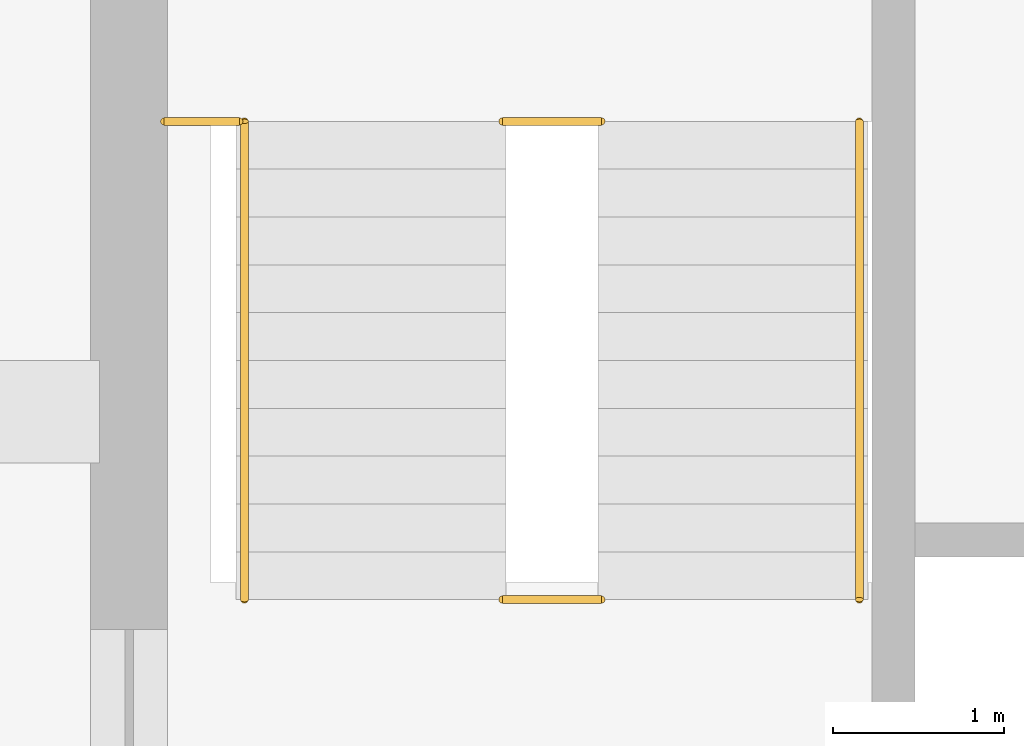
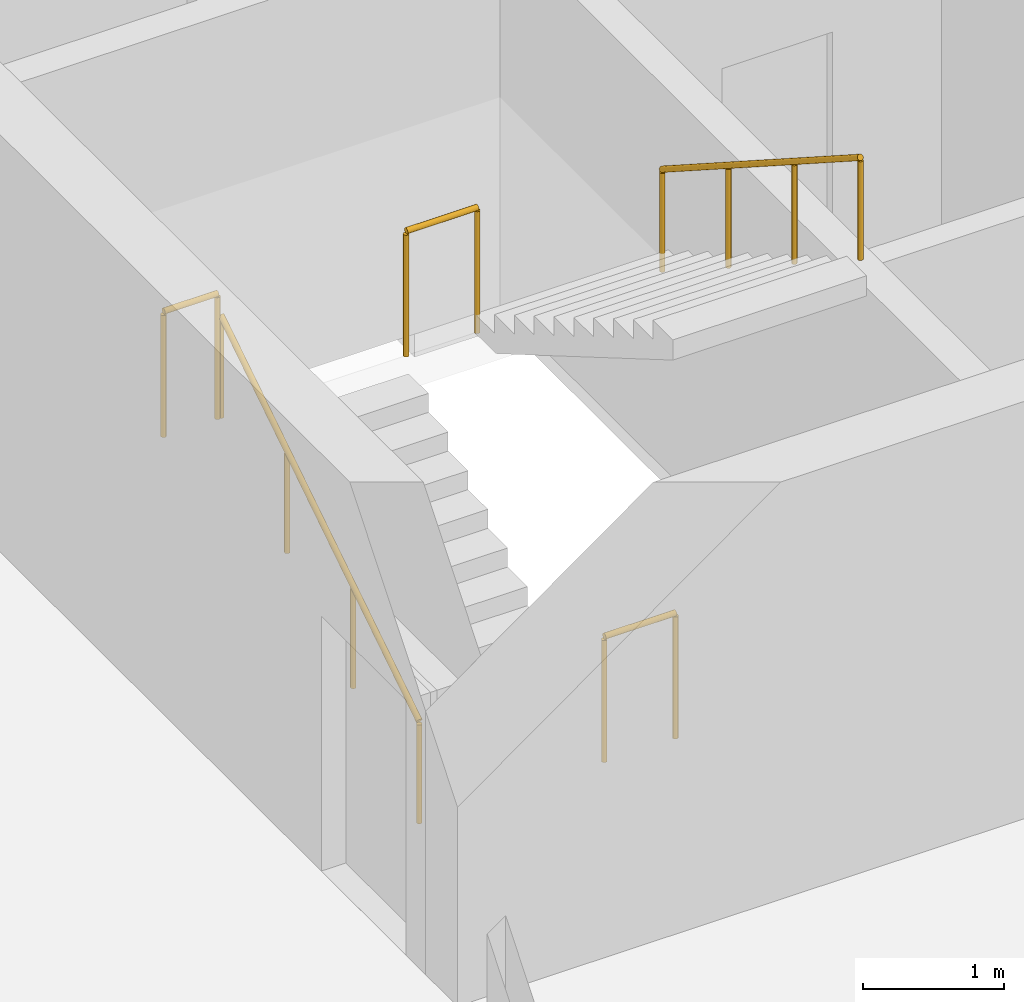
# One storey, part 12 of 15: 5 railings.
"""IFC4 building model written with IfcOpenShell, lengths in metres."""

from ifc_helpers import new_model, si_unit, direction, frame, origin, origin_2d, place, context, subcontext, project, spatial, circle, extrude, material, type_object, element, save


model = new_model("IFC4")

# Units and contexts
model_context = context("Model", 3, precision=1e-05, world=origin(), true_north=direction((0.0, 1.0)))
body_context = subcontext(model_context, "Body", "Model", "MODEL_VIEW")
ifc_project = project(units=[si_unit("LENGTHUNIT", "METRE"), si_unit("AREAUNIT", "SQUARE_METRE"), si_unit("VOLUMEUNIT", "CUBIC_METRE"), si_unit("PLANEANGLEUNIT", "RADIAN"), si_unit("MASSUNIT", "GRAM", prefix="KILO")], contexts=[model_context])

# Site, building, storey
site_placement = place(None, origin())
site = spatial("IfcSite", under=ifc_project, at=site_placement, CompositionType="ELEMENT")
building_placement = place(site_placement, origin())
building = spatial("IfcBuilding", under=site, at=building_placement, Name="Pilkhan Gate Tower", CompositionType="ELEMENT")
storey_placement = place(building_placement, frame((0.0, 0.0, 265.699951171875)))
storey = spatial("IfcBuildingStorey", under=building, at=storey_placement, Name="L69", CompositionType="ELEMENT", Elevation=265.699951171875)

# Railings
ifc_material_1 = material(Name="Black powder-coated steel tube", Category="steel")
railing_type_1 = type_object("IfcRailingType", Name="Stair handrail HR1", PredefinedType="HANDRAIL", material=ifc_material_1)
railing_1_placement = place(storey_placement, frame((61.449951171875, 73.89990234375, 0.0)))
element("IfcRailing", 1, at=railing_1_placement, inside=storey, type_object=railing_type_1, Name="Stair ST2 handrail L69", PredefinedType="HANDRAIL", context=body_context, shape_type="SweptSolid", body=[
    extrude(circle(Radius=0.02392578125, at=origin_2d()), frame((0.0, 0.0, 0.8759765625), z_axis=(0.0, 0.841176092368, 0.540761298198), x_axis=(-1.0, 0.0, 0.0)), (0.0, 0.0, 1.0), 3.32861328125),
    extrude(circle(Radius=0.02099609375, at=origin_2d()), origin(), (0.0, 0.0, 1.0), 0.851806640625),
    extrude(circle(Radius=0.02099609375, at=origin_2d()), frame((0.0, 0.933349609375, 0.60009765625)), (0.0, 0.0, 1.0), 0.851806640625),
    extrude(circle(Radius=0.02099609375, at=origin_2d()), frame((0.0, 1.86669921875, 1.199951171875)), (0.0, 0.0, 1.0), 0.851806640625),
    extrude(circle(Radius=0.02099609375, at=origin_2d()), frame((0.0, 2.800048828125, 1.800048828125)), (0.0, 0.0, 1.0), 0.851806640625),
])
railing_2_placement = place(storey_placement, frame((65.050048828125, 76.699951171875, 1.800048828125)))
element("IfcRailing", 2, at=railing_2_placement, inside=storey, type_object=railing_type_1, Name="Stair ST2 handrail L69", PredefinedType="HANDRAIL", context=body_context, shape_type="SweptSolid", body=[
    extrude(circle(Radius=0.02392578125, at=origin_2d()), frame((0.0, 0.0, 0.8759765625), z_axis=(0.0, -0.841176092368, 0.540761298198), x_axis=(1.0, 0.0, 0.0)), (0.0, 0.0, 1.0), 3.32861328125),
    extrude(circle(Radius=0.02099609375, at=origin_2d()), origin(), (0.0, 0.0, 1.0), 0.851806640625),
    extrude(circle(Radius=0.02099609375, at=origin_2d()), frame((0.0, -0.933349609375, 0.60009765625)), (0.0, 0.0, 1.0), 0.851806640625),
    extrude(circle(Radius=0.02099609375, at=origin_2d()), frame((0.0, -1.86669921875, 1.199951171875)), (0.0, 0.0, 1.0), 0.851806640625),
    extrude(circle(Radius=0.02099609375, at=origin_2d()), frame((0.0, -2.800048828125, 1.800048828125)), (0.0, 0.0, 1.0), 0.851806640625),
])
ifc_material_2 = material(Name="Black powder-coated steel balusters", Category="steel")
railing_type_2 = type_object("IfcRailingType", Name="Stair well guard G3", PredefinedType="GUARDRAIL", material=ifc_material_2)
railing_3_placement = place(storey_placement, frame((60.97998046875, 76.699951171875, 1.800048828125)))
element("IfcRailing", 3, at=railing_3_placement, inside=storey, type_object=railing_type_2, Name="Stair ST2 well guard L69", PredefinedType="GUARDRAIL", context=body_context, shape_type="SweptSolid", body=[
    extrude(circle(Radius=0.02392578125, at=origin_2d()), frame((0.0, 0.0, 1.076171875), z_axis=(1.0, 0.0, 0.0), x_axis=(0.0, 1.0, 0.0)), (0.0, 0.0, 1.0), 0.43994140625),
    extrude(circle(Radius=0.02099609375, at=origin_2d()), origin(), (0.0, 0.0, 1.0), 1.052001953125),
    extrude(circle(Radius=0.02099609375, at=origin_2d()), frame((0.43994140625, 0.0, 0.0)), (0.0, 0.0, 1.0), 1.052001953125),
])
for number, where, name in (
    (4, (62.9599609375, 73.89990234375, 0.0), "Stair ST2 well guard L69"),
    (5, (62.9599609375, 76.699951171875, 1.800048828125), "Stair ST2 well guard L69"),
):
    element("IfcRailing", number, at=place(storey_placement, frame(where)), inside=storey, type_object=railing_type_2, Name=name, PredefinedType="GUARDRAIL", context=body_context, shape_type="SweptSolid", body=[
        extrude(circle(Radius=0.02392578125, at=origin_2d()), frame((0.0, 0.0, 1.076171875), z_axis=(1.0, 0.0, 0.0), x_axis=(0.0, 1.0, 0.0)), (0.0, 0.0, 1.0), 0.580078125),
        extrude(circle(Radius=0.02099609375, at=origin_2d()), origin(), (0.0, 0.0, 1.0), 1.052001953125),
        extrude(circle(Radius=0.02099609375, at=origin_2d()), frame((0.580078125, 0.0, 0.0)), (0.0, 0.0, 1.0), 1.052001953125),
    ])

save(model, "model.ifc")
